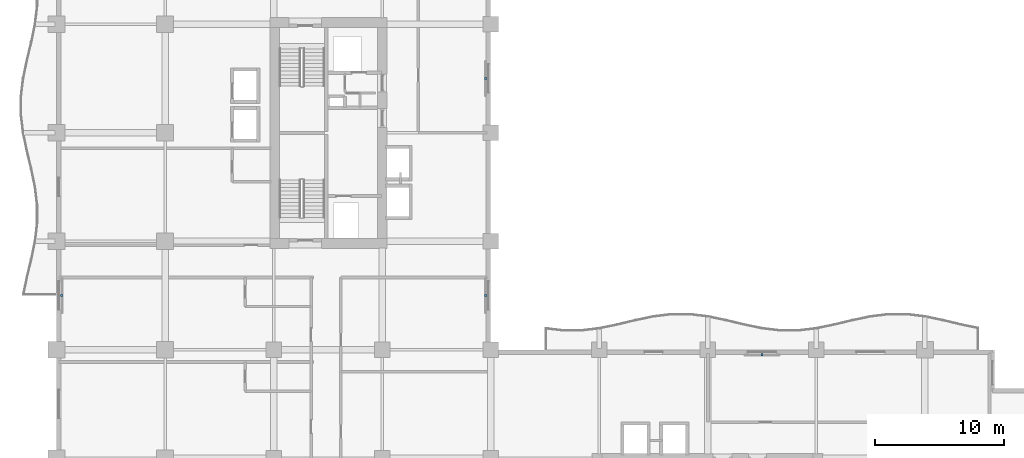
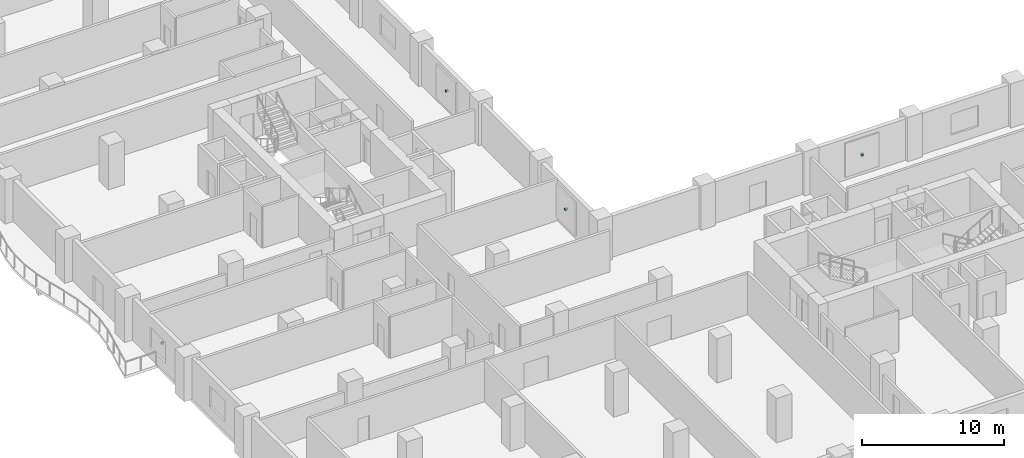
# One storey, part 13 of 18: 4 discrete accessories.
"""IFC4 building model written with IfcOpenShell, lengths in metres."""

from ifc_helpers import new_model, si_unit, direction, frame, origin, origin_2d, place, context, subcontext, project, spatial, rectangle, extrude, material, type_object, element, save


model = new_model("IFC4")

# Units and contexts
model_context = context("Model", 3, precision=1e-05, world=origin(), true_north=direction((0.0, 1.0)))
body_context = subcontext(model_context, "Body", "Model", "MODEL_VIEW")
ifc_project = project(units=[si_unit("LENGTHUNIT", "METRE"), si_unit("AREAUNIT", "SQUARE_METRE"), si_unit("VOLUMEUNIT", "CUBIC_METRE"), si_unit("PLANEANGLEUNIT", "RADIAN"), si_unit("MASSUNIT", "GRAM", prefix="KILO")], contexts=[model_context])

# Site, building, storey
site_placement = place(None, origin())
site = spatial("IfcSite", under=ifc_project, at=site_placement, CompositionType="ELEMENT")
building_placement = place(site_placement, origin())
building = spatial("IfcBuilding", under=site, at=building_placement, Name="Koriwani Terraces Tower", CompositionType="ELEMENT")
storey_placement = place(building_placement, frame((0.0, 0.0, 145.60009765625)))
storey = spatial("IfcBuildingStorey", under=building, at=storey_placement, Name="L35", CompositionType="ELEMENT", Elevation=145.60009765625)

# Discrete accessories
ifc_material = material(Name="Steel ASTM A572 Grade 50", Category="steel")
discrete_accessory_type = type_object("IfcDiscreteAccessoryType", Name="BAGUETTE_STANDOFF_BRACKET", PredefinedType="BRACKET", material=ifc_material)
for number, where, z_axis, x_axis, name in (
    (1, (0.389892578125, 37.800048828125, 1.68505859375), (0.0, 0.0, 1.0), (0.0, 1.0, 0.0), "L35 Terracotta Baguette Bracket (W-12)"),
    (2, (33.2099609375, 37.800048828125, 1.68505859375), (0.0, 0.0, 1.0), (0.0, -1.0, 0.0), "L35 Terracotta Baguette Bracket (NW_IN-2)"),
    (3, (33.2099609375, 54.60009765625, 1.68505859375), (0.0, 0.0, 1.0), (0.0, -1.0, 0.0), "L35 Terracotta Baguette Bracket (NW_IN-8)"),
    (4, (54.60009765625, 33.2099609375, 1.68505859375), (0.0, 0.0, 1.0), (1.0, 0.0, 0.0), "L35 Terracotta Baguette Bracket (NE-8)"),
):
    element("IfcDiscreteAccessory", number, at=place(storey_placement, frame(where, z_axis=z_axis, x_axis=x_axis)), inside=storey, type_object=discrete_accessory_type, Name=name, PredefinedType="BRACKET", context=body_context, shape_type="SweptSolid", body=[
        extrude(rectangle(XDim=0.159912109375, YDim=0.199951171875, at=origin_2d()), origin(), (0.0, 0.0, 1.0), 0.179931640625),
    ])

save(model, "model.ifc")
